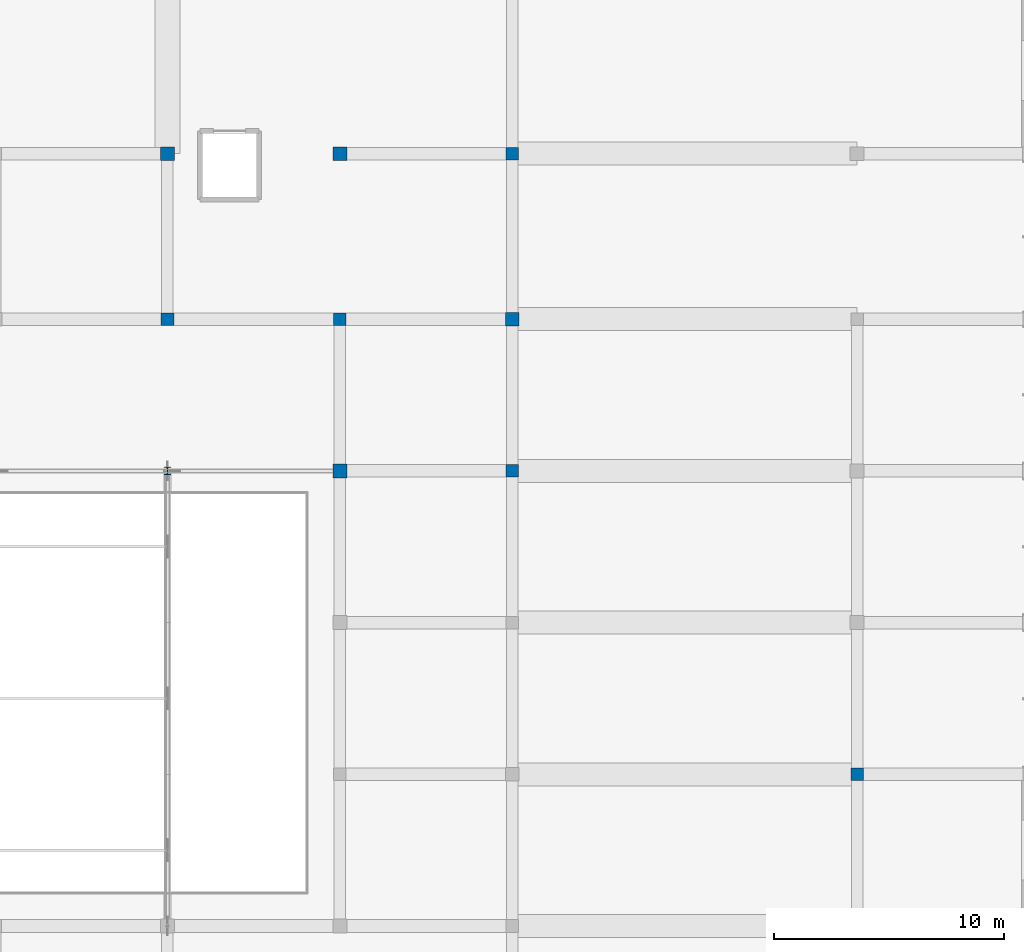
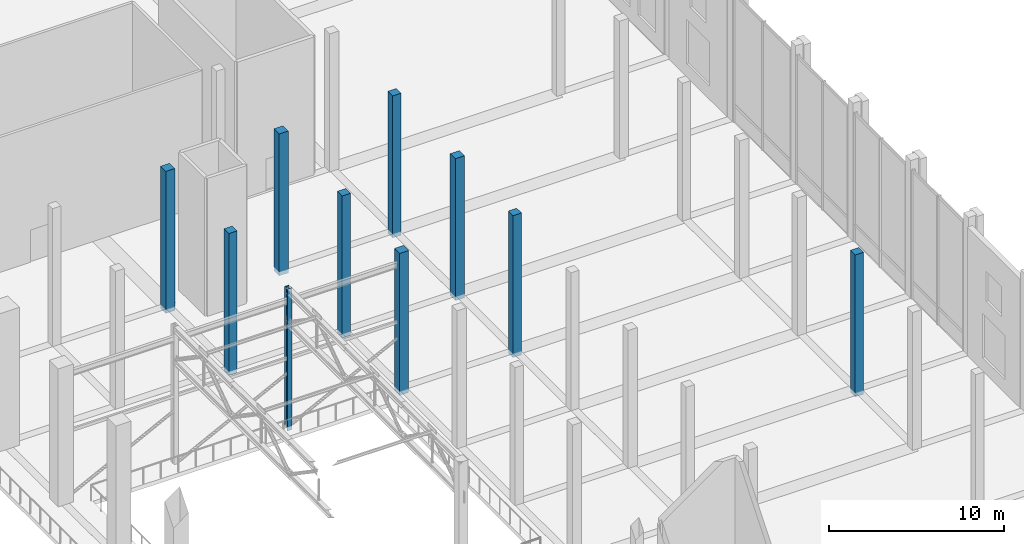
# One storey, part 6 of 80: 10 columns.
"""IFC4 building model written with IfcOpenShell, lengths in metres."""

from ifc_helpers import new_model, si_unit, direction, frame, origin, origin_2d, place, context, subcontext, project, spatial, rectangle, i_section, extrude, material, material_profile, profile_set, type_object, element, save


model = new_model("IFC4")

# Units and contexts
model_context = context("Model", 3, precision=1e-05, world=origin(), true_north=direction((0.0, 1.0)))
body_context = subcontext(model_context, "Body", "Model", "MODEL_VIEW")
ifc_project = project(units=[si_unit("LENGTHUNIT", "METRE"), si_unit("AREAUNIT", "SQUARE_METRE"), si_unit("VOLUMEUNIT", "CUBIC_METRE"), si_unit("PLANEANGLEUNIT", "RADIAN"), si_unit("MASSUNIT", "GRAM", prefix="KILO")], contexts=[model_context])

# Site, building, storey
site_placement = place(None, origin())
site = spatial("IfcSite", under=ifc_project, at=site_placement, CompositionType="ELEMENT")
building_placement = place(site_placement, origin())
building = spatial("IfcBuilding", under=site, at=building_placement, Name="Akrevak Sports Hall", CompositionType="ELEMENT")
storey_placement = place(building_placement, frame((0.0, 0.0, 14.0)))
storey = spatial("IfcBuildingStorey", under=building, at=storey_placement, Name="L03", CompositionType="ELEMENT", Elevation=14.0)

# Columns
ifc_material_1 = material(Name="Concrete C40/50", Category="concrete")
ifc_material_profile_1 = material_profile(ifc_material_1, rectangle(XDim=0.550048828125, YDim=0.550048828125, at=origin_2d()), Name="RC 550x550", Category="concrete")
ifc_profile_set_1 = profile_set([ifc_material_profile_1], Name="Concrete C40/50")
column_type_1 = type_object("IfcColumnType", Name="STR-COL-RC550", PredefinedType="COLUMN", material=ifc_profile_set_1)
for number, where, z_axis, x_axis, name in (
    (1, (130.5, 55.199951171875, -0.280029296875), (0.0, 0.0, 1.0), (1.0, 0.0, 0.0), "Column 18/I (L03)"),
    (2, (138.0, 55.199951171875, -0.280029296875), (0.0, 0.0, 1.0), (1.0, 0.0, 0.0), "Column 19/I (L03)"),
    (3, (145.5, 48.60009765625, -0.280029296875), (0.0, 0.0, 1.0), (1.0, 0.0, 0.0), "Column 20/H (L03)"),
    (4, (145.5, 62.39990234375, -0.280029296875), (0.0, 0.0, 1.0), (1.0, 0.0, 0.0), "Column 20/J (L03)"),
    (5, (160.5, 35.39990234375, -0.280029296875), (0.0, 0.0, 1.0), (1.0, 0.0, 0.0), "Column 22/F (L03)"),
):
    element("IfcColumn", number, at=place(storey_placement, frame(where, z_axis=z_axis, x_axis=x_axis)), inside=storey, type_object=column_type_1, Name=name, PredefinedType="COLUMN", context=body_context, shape_type="SweptSolid", body=[
        extrude(rectangle(XDim=0.550048828125, YDim=0.550048828125, at=origin_2d()), origin(), (0.0, 0.0, 1.0), 9.929931640625),
    ])
ifc_material_profile_2 = material_profile(ifc_material_1, rectangle(XDim=0.60009765625, YDim=0.60009765625, at=origin_2d()), Name="RC 600x600", Category="concrete")
ifc_profile_set_2 = profile_set([ifc_material_profile_2], Name="Concrete C40/50")
column_type_2 = type_object("IfcColumnType", Name="STR-COL-RC600", PredefinedType="COLUMN", material=ifc_profile_set_2)
for number, where, z_axis, x_axis, name in (
    (6, (130.5, 62.39990234375, -0.280029296875), (0.0, 0.0, 1.0), (1.0, 0.0, 0.0), "Column 18/J (L03)"),
    (7, (138.0, 48.60009765625, -0.280029296875), (0.0, 0.0, 1.0), (1.0, 0.0, 0.0), "Column 19/H (L03)"),
    (8, (138.0, 62.39990234375, -0.280029296875), (0.0, 0.0, 1.0), (1.0, 0.0, 0.0), "Column 19/J (L03)"),
    (9, (145.5, 55.199951171875, -0.280029296875), (0.0, 0.0, 1.0), (1.0, 0.0, 0.0), "Column 20/I (L03)"),
):
    element("IfcColumn", number, at=place(storey_placement, frame(where, z_axis=z_axis, x_axis=x_axis)), inside=storey, type_object=column_type_2, Name=name, PredefinedType="COLUMN", context=body_context, shape_type="SweptSolid", body=[
        extrude(rectangle(XDim=0.60009765625, YDim=0.60009765625, at=origin_2d()), origin(), (0.0, 0.0, 1.0), 9.929931640625),
    ])
ifc_material_2 = material(Name="Steel S355", Category="steel")
ifc_material_profile_3 = material_profile(ifc_material_2, i_section(OverallWidth=0.300048828125, OverallDepth=0.330078125, WebThickness=0.009521484375, FlangeThickness=0.0166015625, FilletRadius=0.027099609375, at=origin_2d()), Name="HEA 340", Category="steel")
ifc_profile_set_3 = profile_set([ifc_material_profile_3], Name="Steel S355")
column_type_3 = type_object("IfcColumnType", Name="STR-COL-STL-HEA340", PredefinedType="COLUMN", material=ifc_profile_set_3)
column_placement = place(storey_placement, frame((130.5, 48.60009765625, -0.280029296875), z_axis=(0.0, 0.0, 1.0), x_axis=(1.0, 0.0, 0.0)))
element("IfcColumn", 10, at=column_placement, inside=storey, type_object=column_type_3, Name="Climbing Wall Steel Column SC-2 (L03)", PredefinedType="COLUMN", context=body_context, shape_type="SweptSolid", body=[
    extrude(i_section(OverallWidth=0.300048828125, OverallDepth=0.330078125, WebThickness=0.009521484375, FlangeThickness=0.0166015625, FilletRadius=0.027099609375, at=origin_2d()), origin(), (0.0, 0.0, 1.0), 9.929931640625),
])

save(model, "model.ifc")
